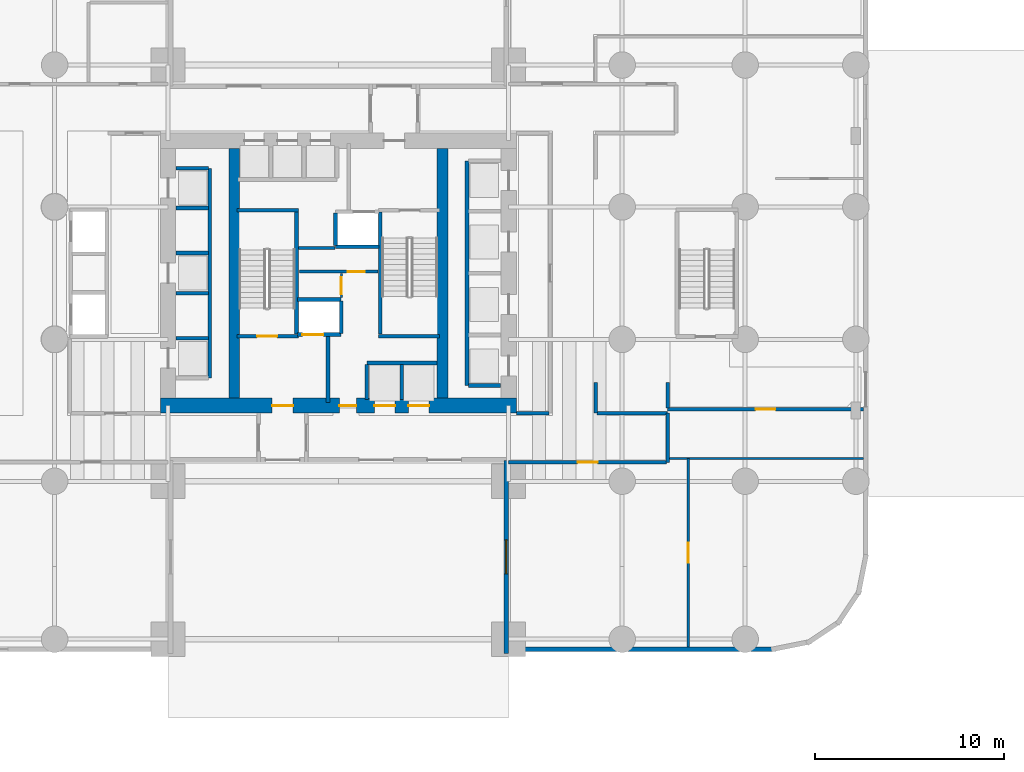
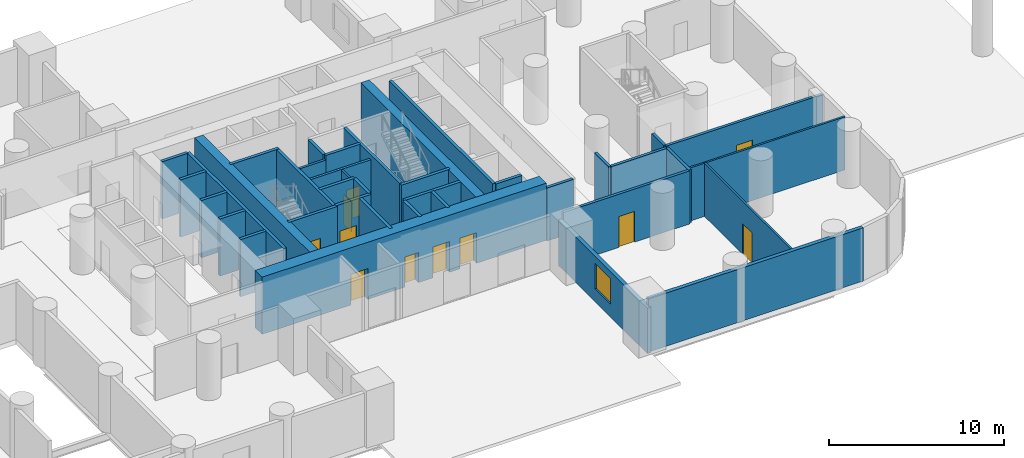
# One storey, part 4 of 10: 39 walls, 11 doors, 1 window, 12 openings.
"""IFC4 building model written with IfcOpenShell, lengths in metres."""

from ifc_helpers import new_model, si_unit, direction, frame, frame_2d, origin, place, context, subcontext, project, spatial, rectangle, extrude, material, layer, layer_set, type_object, element, fill, save


model = new_model("IFC4")

# Units and contexts
model_context = context("Model", 3, precision=1e-05, world=origin(), true_north=direction((0.0, 1.0)))
body_context = subcontext(model_context, "Body", "Model", "MODEL_VIEW")
ifc_project = project(units=[si_unit("LENGTHUNIT", "METRE"), si_unit("AREAUNIT", "SQUARE_METRE"), si_unit("VOLUMEUNIT", "CUBIC_METRE"), si_unit("PLANEANGLEUNIT", "RADIAN"), si_unit("MASSUNIT", "GRAM", prefix="KILO")], contexts=[model_context])

# Site, building, storey
site_placement = place(None, origin())
site = spatial("IfcSite", under=ifc_project, at=site_placement, CompositionType="ELEMENT")
building_placement = place(site_placement, origin())
building = spatial("IfcBuilding", under=site, at=building_placement, Name="Veldorim Arch Residences", CompositionType="ELEMENT")
storey_placement = place(building_placement, origin())
storey = spatial("IfcBuildingStorey", under=building, at=storey_placement, Name="L00", CompositionType="ELEMENT", Elevation=0.0)

# Wall, opening, door
ifc_material_1 = material(Name="Acoustic Gypsum Board", Category="gypsum")
ifc_layer_1 = layer(ifc_material_1, 0.125, Name="Acoustic Stud Room Partition Wall 125")
ifc_layer_set_1 = layer_set([ifc_layer_1], Name="Acoustic Gypsum Board")
wall_type_1 = type_object("IfcWallType", Name="Acoustic Stud Room Partition Wall 125", PredefinedType="PARTITIONING", material=ifc_layer_set_1)
wall_1_placement = place(storey_placement, frame((32.159912109375, 22.719970703125, 0.0), z_axis=(0.0, 0.0, 1.0), x_axis=(0.0, 1.0, 0.0)))
wall_1 = element("IfcWall", 1, at=wall_1_placement, inside=storey, type_object=wall_type_1, Name="L00 interior wall WL-CA-L00-2", PredefinedType="PARTITIONING", context=body_context, shape_type="SweptSolid", body=[
    extrude(rectangle(XDim=1.25, YDim=0.125, at=frame_2d((0.625, 0.0))), origin(), (0.0, 0.0, 1.0), 3.715087890625),
])
opening_1_placement = place(wall_1_placement, frame((0.169921875, 0.0, 0.0)))
opening_1 = element("IfcOpeningElement", 2, at=opening_1_placement, cuts=wall_1, Name="Opening DR-SVC", PredefinedType="OPENING", context=body_context, shape_type="SweptSolid", body=[
    extrude(rectangle(XDim=0.89990234375, YDim=2.10009765625, at=frame_2d((0.449951171875, 1.050048828125))), frame((0.0, 0.072509765625, 0.0), z_axis=(0.0, -1.0, 0.0), x_axis=(1.0, 0.0, 0.0)), (0.0, 0.0, 1.0), 0.14501953125),
])
ifc_material_2 = material(Name="Fire-Rated Steel", Category="steel")
door_type_1 = type_object("IfcDoorType", Name="Riser, Shelter & Plant Room Rated Steel Door 900x2100", OperationType="SINGLE_SWING_LEFT", PredefinedType="DOOR", material=ifc_material_2)
door_1_placement = place(opening_1_placement, origin())
door_1 = element("IfcDoor", 3, at=door_1_placement, inside=storey, type_object=door_type_1, Name="L00 interior door DR-L00-CA2", OperationType="SINGLE_SWING_RIGHT", OverallHeight=2.10009765625, OverallWidth=0.89990234375, PredefinedType="DOOR", context=body_context, shape_type="SweptSolid", body=[
    extrude(rectangle(XDim=0.89990234375, YDim=2.10009765625, at=frame_2d((0.449951171875, 1.050048828125))), frame((0.0, 0.02490234375, 0.0), z_axis=(0.0, -1.0, 0.0), x_axis=(1.0, 0.0, 0.0)), (0.0, 0.0, 1.0), 0.050048828125),
])
fill(opening_1, door_1)

wall_2_placement = place(storey_placement, frame((50.5, 14.199951171875, 0.0), z_axis=(0.0, 0.0, 1.0), x_axis=(0.0, -1.0, 0.0)))
wall_2 = element("IfcWall", 4, at=wall_2_placement, inside=storey, type_object=wall_type_1, Name="L00 interior wall WL-POD-L00-028", PredefinedType="PARTITIONING", context=body_context, shape_type="SweptSolid", body=[
    extrude(rectangle(XDim=9.949951171875, YDim=0.125, at=frame_2d((4.97509765625, 0.0))), origin(), (0.0, 0.0, 1.0), 3.715087890625),
])
opening_2_placement = place(wall_2_placement, frame((4.449951171875, 0.0, 0.0)))
opening_2 = element("IfcOpeningElement", 5, at=opening_2_placement, cuts=wall_2, Name="Opening DR-CLN", PredefinedType="OPENING", context=body_context, shape_type="SweptSolid", body=[
    extrude(rectangle(XDim=1.050048828125, YDim=2.14990234375, at=frame_2d((0.52490234375, 1.074951171875))), frame((0.0, 0.072509765625, 0.0), z_axis=(0.0, -1.0, 0.0), x_axis=(1.0, 0.0, 0.0)), (0.0, 0.0, 1.0), 0.14501953125),
])
ifc_material_3 = material(Name="Timber & Vision Panel", Category="wood")
door_type_2 = type_object("IfcDoorType", Name="Polyclinic Wheelchair-Accessible Consultation Door 1050x2150", OperationType="SINGLE_SWING_LEFT", PredefinedType="DOOR", material=ifc_material_3)
door_2_placement = place(opening_2_placement, origin())
door_2 = element("IfcDoor", 6, at=door_2_placement, inside=storey, type_object=door_type_2, Name="L00 interior door DR-POD-L00-010", OperationType="SINGLE_SWING_RIGHT", OverallHeight=2.14990234375, OverallWidth=1.050048828125, PredefinedType="DOOR", context=body_context, shape_type="SweptSolid", body=[
    extrude(rectangle(XDim=1.050048828125, YDim=2.14990234375, at=frame_2d((0.52490234375, 1.074951171875))), frame((0.0, 0.02490234375, 0.0), z_axis=(0.0, -1.0, 0.0), x_axis=(1.0, 0.0, 0.0)), (0.0, 0.0, 1.0), 0.050048828125),
])
fill(opening_2, door_2)

# Wall
wall_3_placement = place(storey_placement, frame((49.5, 14.199951171875, 0.0), z_axis=(0.0, 0.0, 1.0), x_axis=(1.0, 0.0, 0.0)))
element("IfcWall", 7, at=wall_3_placement, inside=storey, type_object=wall_type_1, Name="L00 interior wall WL-POD-L00-029", PredefinedType="PARTITIONING", context=body_context, shape_type="SweptSolid", body=[
    extrude(rectangle(XDim=10.25, YDim=0.125, at=frame_2d((5.125, 0.0))), origin(), (0.0, 0.0, 1.0), 3.715087890625),
])

# Wall, opening, door
ifc_material_4 = material(Name="Lightweight Masonry Block & Gypsum", Category="masonry")
ifc_layer_2 = layer(ifc_material_4, 0.179931640625, Name="Compartment & Corridor Fire-Rated Party Wall 180")
ifc_layer_set_2 = layer_set([ifc_layer_2], Name="Lightweight Masonry Block & Gypsum")
wall_type_2 = type_object("IfcWallType", Name="Compartment & Corridor Fire-Rated Party Wall 180", PredefinedType="PARTITIONING", material=ifc_layer_set_2)
wall_4_placement = place(storey_placement, frame((59.75, 16.800048828125, 0.0), z_axis=(0.0, 0.0, 1.0), x_axis=(-1.0, 0.0, 0.0)))
wall_4 = element("IfcWall", 8, at=wall_4_placement, inside=storey, type_object=wall_type_2, Name="L00 interior wall WL-POD-L00-005", PredefinedType="PARTITIONING", context=body_context, shape_type="SweptSolid", body=[
    extrude(rectangle(XDim=10.35009765625, YDim=0.179931640625, at=frame_2d((5.175048828125, 0.0))), origin(), (0.0, 0.0, 1.0), 3.715087890625),
])
opening_3_placement = place(wall_4_placement, frame((4.64990234375, 0.0, 0.0)))
opening_3 = element("IfcOpeningElement", 9, at=opening_3_placement, cuts=wall_4, Name="Opening DR-CLN", PredefinedType="OPENING", context=body_context, shape_type="SweptSolid", body=[
    extrude(rectangle(XDim=1.050048828125, YDim=2.14990234375, at=frame_2d((0.52490234375, 1.074951171875))), frame((0.0, 0.099853515625, 0.0), z_axis=(0.0, -1.0, 0.0), x_axis=(1.0, 0.0, 0.0)), (0.0, 0.0, 1.0), 0.199951171875),
])
door_3_placement = place(opening_3_placement, origin())
door_3 = element("IfcDoor", 10, at=door_3_placement, inside=storey, type_object=door_type_2, Name="L00 interior door DR-POD-L00-011", OperationType="SINGLE_SWING_LEFT", OverallHeight=2.14990234375, OverallWidth=1.050048828125, PredefinedType="DOOR", context=body_context, shape_type="SweptSolid", body=[
    extrude(rectangle(XDim=1.050048828125, YDim=2.14990234375, at=frame_2d((0.52490234375, 1.074951171875))), frame((0.0, 0.02490234375, 0.0), z_axis=(0.0, -1.0, 0.0), x_axis=(1.0, 0.0, 0.0)), (0.0, 0.0, 1.0), 0.050048828125),
])
fill(opening_3, door_3)

# Walls
wall_5_placement = place(storey_placement, frame((49.39990234375, 16.860107421875, 0.0), z_axis=(0.0, 0.0, 1.0), x_axis=(0.0, 1.0, 0.0)))
element("IfcWall", 11, at=wall_5_placement, inside=storey, type_object=wall_type_2, Name="L00 interior wall WL-POD-L00-006", PredefinedType="PARTITIONING", context=body_context, shape_type="SweptSolid", body=[
    extrude(rectangle(XDim=1.35986328125, YDim=0.179931640625, at=frame_2d((0.679931640625, 0.0))), origin(), (0.0, 0.0, 1.0), 3.715087890625),
])
wall_6_placement = place(storey_placement, frame((41.39990234375, 16.60009765625, 0.0), z_axis=(0.0, 0.0, 1.0), x_axis=(1.0, 0.0, 0.0)))
element("IfcWall", 12, at=wall_6_placement, inside=storey, type_object=wall_type_2, Name="L00 interior wall WL-POD-L00-009", PredefinedType="PARTITIONING", context=body_context, shape_type="SweptSolid", body=[
    extrude(rectangle(XDim=1.739990234375, YDim=0.179931640625, at=frame_2d((0.8701171875, 0.0))), origin(), (0.0, 0.0, 1.0), 3.715087890625),
])
wall_7_placement = place(storey_placement, frame((49.39990234375, 16.60009765625, 0.0), z_axis=(0.0, 0.0, 1.0), x_axis=(0.0, -1.0, 0.0)))
element("IfcWall", 13, at=wall_7_placement, inside=storey, type_object=wall_type_2, Name="L00 interior wall WL-POD-L00-010", PredefinedType="PARTITIONING", context=body_context, shape_type="SweptSolid", body=[
    extrude(rectangle(XDim=2.60009765625, YDim=0.179931640625, at=frame_2d((1.300048828125, 0.0))), origin(), (0.0, 0.0, 1.0), 3.715087890625),
])

# Wall, opening, door
wall_8_placement = place(storey_placement, frame((49.340087890625, 14.0, 0.0), z_axis=(0.0, 0.0, 1.0), x_axis=(-1.0, 0.0, 0.0)))
wall_8 = element("IfcWall", 14, at=wall_8_placement, inside=storey, type_object=wall_type_2, Name="L00 interior wall WL-POD-L00-011", PredefinedType="PARTITIONING", context=body_context, shape_type="SweptSolid", body=[
    extrude(rectangle(XDim=8.340087890625, YDim=0.179931640625, at=frame_2d((4.169921875, 0.0))), origin(), (0.0, 0.0, 1.0), 3.715087890625),
])
opening_4_placement = place(wall_8_placement, frame((3.64501953125, 0.0, 0.0)))
opening_4 = element("IfcOpeningElement", 15, at=opening_4_placement, cuts=wall_8, Name="Opening DR-CLN", PredefinedType="OPENING", context=body_context, shape_type="SweptSolid", body=[
    extrude(rectangle(XDim=1.050048828125, YDim=2.14990234375, at=frame_2d((0.52490234375, 1.074951171875))), frame((0.0, 0.099853515625, 0.0), z_axis=(0.0, -1.0, 0.0), x_axis=(1.0, 0.0, 0.0)), (0.0, 0.0, 1.0), 0.199951171875),
])
door_4_placement = place(opening_4_placement, origin())
door_4 = element("IfcDoor", 16, at=door_4_placement, inside=storey, type_object=door_type_2, Name="L00 interior door DR-POD-L00-009", OperationType="SINGLE_SWING_LEFT", OverallHeight=2.14990234375, OverallWidth=1.050048828125, PredefinedType="DOOR", context=body_context, shape_type="SweptSolid", body=[
    extrude(rectangle(XDim=1.050048828125, YDim=2.14990234375, at=frame_2d((0.52490234375, 1.074951171875))), frame((0.0, 0.02490234375, 0.0), z_axis=(0.0, -1.0, 0.0), x_axis=(1.0, 0.0, 0.0)), (0.0, 0.0, 1.0), 0.050048828125),
])
fill(opening_4, door_4)

# Walls
wall_9_placement = place(storey_placement, frame((45.60009765625, 18.219970703125, 0.0), z_axis=(0.0, 0.0, 1.0), x_axis=(0.0, -1.0, 0.0)))
element("IfcWall", 17, at=wall_9_placement, inside=storey, type_object=wall_type_2, Name="L00 interior wall WL-POD-L00-012", PredefinedType="PARTITIONING", context=body_context, shape_type="SweptSolid", body=[
    extrude(rectangle(XDim=1.619873046875, YDim=0.179931640625, at=frame_2d((0.81005859375, 0.0))), origin(), (0.0, 0.0, 1.0), 3.715087890625),
])
wall_10_placement = place(storey_placement, frame((45.659912109375, 16.60009765625, 0.0), z_axis=(0.0, 0.0, 1.0), x_axis=(1.0, 0.0, 0.0)))
element("IfcWall", 18, at=wall_10_placement, inside=storey, type_object=wall_type_2, Name="L00 interior wall WL-POD-L00-013", PredefinedType="PARTITIONING", context=body_context, shape_type="SweptSolid", body=[
    extrude(rectangle(XDim=3.739990234375, YDim=0.179931640625, at=frame_2d((1.8701171875, 0.0))), origin(), (0.0, 0.0, 1.0), 3.715087890625),
])
ifc_material_5 = material(Name="Concrete C50/60", Category="concrete")
ifc_layer_3 = layer(ifc_material_5, 0.199951171875, Name="Core Stair & Lift Shaft Enclosure Wall 200")
ifc_layer_set_3 = layer_set([ifc_layer_3], Name="Concrete C50/60")
wall_type_3 = type_object("IfcWallType", Name="Core Stair & Lift Shaft Enclosure Wall 200", PredefinedType="SHEAR", material=ifc_layer_set_3)
wall_11_placement = place(storey_placement, frame((29.7900390625, 20.780029296875, 0.0), z_axis=(0.0, 0.0, 1.0), x_axis=(0.0, 1.0, 0.0)))
element("IfcWall", 19, at=wall_11_placement, inside=storey, type_object=wall_type_3, Name="L00 shaft wall WL-SHF-L00-ST1-E", PredefinedType="SHEAR", context=body_context, shape_type="SweptSolid", body=[
    extrude(rectangle(XDim=6.43994140625, YDim=0.199951171875, at=frame_2d((3.219970703125, 0.0))), origin(), (0.0, 0.0, 1.0), 4.0),
])
wall_12_placement = place(storey_placement, frame((26.64990234375, 27.330078125, 0.0), z_axis=(0.0, 0.0, 1.0), x_axis=(1.0, 0.0, 0.0)))
element("IfcWall", 20, at=wall_12_placement, inside=storey, type_object=wall_type_3, Name="L00 shaft wall WL-SHF-L00-ST1-N", PredefinedType="SHEAR", context=body_context, shape_type="SweptSolid", body=[
    extrude(rectangle(XDim=3.239990234375, YDim=0.199951171875, at=frame_2d((1.6201171875, 0.0))), origin(), (0.0, 0.0, 1.0), 4.0),
])

# Wall, opening, door
wall_13_placement = place(storey_placement, frame((26.64990234375, 20.669921875, 0.0), z_axis=(0.0, 0.0, 1.0), x_axis=(1.0, 0.0, 0.0)))
wall_13 = element("IfcWall", 21, at=wall_13_placement, inside=storey, type_object=wall_type_3, Name="L00 shaft wall WL-SHF-L00-ST1-S", PredefinedType="SHEAR", context=body_context, shape_type="SweptSolid", body=[
    extrude(rectangle(XDim=3.239990234375, YDim=0.199951171875, at=frame_2d((1.6201171875, 0.0))), origin(), (0.0, 0.0, 1.0), 4.0),
])
opening_5_placement = place(wall_13_placement, frame((1.054931640625, 0.0, 0.0)))
opening_5 = element("IfcOpeningElement", 22, at=opening_5_placement, cuts=wall_13, Name="Opening DR-ST", PredefinedType="OPENING", context=body_context, shape_type="SweptSolid", body=[
    extrude(rectangle(XDim=1.050048828125, YDim=2.14990234375, at=frame_2d((0.52490234375, 1.074951171875))), frame((0.0, 0.10986328125, 0.0), z_axis=(0.0, -1.0, 0.0), x_axis=(1.0, 0.0, 0.0)), (0.0, 0.0, 1.0), 0.219970703125),
])
ifc_material_6 = material(Name="Fire-Rated Steel", Category="steel")
door_type_3 = type_object("IfcDoorType", Name="Exit Staircase Self-Closing Fire Door 1050x2150", OperationType="SINGLE_SWING_LEFT", PredefinedType="DOOR", material=ifc_material_6)
door_5_placement = place(opening_5_placement, origin())
door_5 = element("IfcDoor", 23, at=door_5_placement, inside=storey, type_object=door_type_3, Name="L00 interior door DR-L00-ST1", OperationType="SINGLE_SWING_LEFT", OverallHeight=2.14990234375, OverallWidth=1.050048828125, PredefinedType="DOOR", context=body_context, shape_type="SweptSolid", body=[
    extrude(rectangle(XDim=1.050048828125, YDim=2.14990234375, at=frame_2d((0.52490234375, 1.074951171875))), frame((0.0, 0.02490234375, 0.0), z_axis=(0.0, -1.0, 0.0), x_axis=(1.0, 0.0, 0.0)), (0.0, 0.0, 1.0), 0.050048828125),
])
fill(opening_5, door_5)

# Walls
wall_14_placement = place(storey_placement, frame((34.2099609375, 20.780029296875, 0.0), z_axis=(0.0, 0.0, 1.0), x_axis=(0.0, 1.0, 0.0)))
element("IfcWall", 24, at=wall_14_placement, inside=storey, type_object=wall_type_3, Name="L00 shaft wall WL-SHF-L00-ST2-W", PredefinedType="SHEAR", context=body_context, shape_type="SweptSolid", body=[
    extrude(rectangle(XDim=6.43994140625, YDim=0.199951171875, at=frame_2d((3.219970703125, 0.0))), origin(), (0.0, 0.0, 1.0), 4.0),
])
wall_15_placement = place(storey_placement, frame((34.110107421875, 20.669921875, 0.0), z_axis=(0.0, 0.0, 1.0), x_axis=(1.0, 0.0, 0.0)))
element("IfcWall", 25, at=wall_15_placement, inside=storey, type_object=wall_type_3, Name="L00 shaft wall WL-SHF-L00-ST2-S", PredefinedType="SHEAR", context=body_context, shape_type="SweptSolid", body=[
    extrude(rectangle(XDim=3.239990234375, YDim=0.199951171875, at=frame_2d((1.6201171875, 0.0))), origin(), (0.0, 0.0, 1.0), 4.0),
])
wall_16_placement = place(storey_placement, frame((31.449951171875, 17.14990234375, 0.0), z_axis=(0.0, 0.0, 1.0), x_axis=(0.0, 1.0, 0.0)))
element("IfcWall", 26, at=wall_16_placement, inside=storey, type_object=wall_type_3, Name="L00 shaft wall WL-FFL1-L00-E", PredefinedType="SHEAR", context=body_context, shape_type="SweptSolid", body=[
    extrude(rectangle(XDim=3.5, YDim=0.199951171875, at=frame_2d((1.75, 0.0))), origin(), (0.0, 0.0, 1.0), 4.0),
])

# Wall, opening, door
wall_17_placement = place(storey_placement, frame((29.85009765625, 20.75, 0.0), z_axis=(0.0, 0.0, 1.0), x_axis=(1.0, 0.0, 0.0)))
wall_17 = element("IfcWall", 27, at=wall_17_placement, inside=storey, type_object=wall_type_3, Name="L00 shaft wall WL-FL01-L00-S", PredefinedType="SHEAR", context=body_context, shape_type="SweptSolid", body=[
    extrude(rectangle(XDim=2.2998046875, YDim=0.199951171875, at=frame_2d((1.14990234375, 0.0))), origin(), (0.0, 0.0, 1.0), 4.0),
])
opening_6_placement = place(wall_17_placement, frame((0.25, 0.0, 0.0)))
opening_6 = element("IfcOpeningElement", 28, at=opening_6_placement, cuts=wall_17, Name="Opening LD-FF", PredefinedType="OPENING", context=body_context, shape_type="SweptSolid", body=[
    extrude(rectangle(XDim=1.10009765625, YDim=2.14990234375, at=frame_2d((0.550048828125, 1.074951171875))), frame((0.0, 0.10986328125, 0.0), z_axis=(0.0, -1.0, 0.0), x_axis=(1.0, 0.0, 0.0)), (0.0, 0.0, 1.0), 0.219970703125),
])
ifc_material_7 = material(Name="Stainless Steel", Category="steel")
door_type_4 = type_object("IfcDoorType", Name="Firefighting Lift Bi-Parting Sliding Landing Door 1100x2150", OperationType="DOUBLE_DOOR_SLIDING", PredefinedType="DOOR", material=ifc_material_7)
door_6_placement = place(opening_6_placement, origin())
door_6 = element("IfcDoor", 29, at=door_6_placement, inside=storey, type_object=door_type_4, Name="L00 lift landing door LD-L00-FL01", OperationType="DOUBLE_DOOR_SLIDING", OverallHeight=2.14990234375, OverallWidth=1.10009765625, PredefinedType="DOOR", context=body_context, shape_type="SweptSolid", body=[
    extrude(rectangle(XDim=1.10009765625, YDim=2.14990234375, at=frame_2d((0.550048828125, 1.074951171875))), frame((0.0, 0.02490234375, 0.0), z_axis=(0.0, -1.0, 0.0), x_axis=(1.0, 0.0, 0.0)), (0.0, 0.0, 1.0), 0.050048828125),
])
fill(opening_6, door_6)

# Walls
wall_18_placement = place(storey_placement, frame((29.85009765625, 22.60009765625, 0.0), z_axis=(0.0, 0.0, 1.0), x_axis=(1.0, 0.0, 0.0)))
element("IfcWall", 30, at=wall_18_placement, inside=storey, type_object=wall_type_3, Name="L00 shaft wall WL-FL01-L00-N", PredefinedType="SHEAR", context=body_context, shape_type="SweptSolid", body=[
    extrude(rectangle(XDim=2.2998046875, YDim=0.199951171875, at=frame_2d((1.14990234375, 0.0))), origin(), (0.0, 0.0, 1.0), 4.0),
])
wall_19_placement = place(storey_placement, frame((32.14990234375, 20.820068359375, 0.0), z_axis=(0.0, 0.0, 1.0), x_axis=(0.0, 1.0, 0.0)))
element("IfcWall", 31, at=wall_19_placement, inside=storey, type_object=wall_type_3, Name="L00 shaft wall WL-FL01-L00-E", PredefinedType="SHEAR", context=body_context, shape_type="SweptSolid", body=[
    extrude(rectangle(XDim=1.7099609375, YDim=0.199951171875, at=frame_2d((0.85498046875, 0.0))), origin(), (0.0, 0.0, 1.0), 4.0),
])
wall_20_placement = place(storey_placement, frame((31.85009765625, 25.39990234375, 0.0), z_axis=(0.0, 0.0, 1.0), x_axis=(1.0, 0.0, 0.0)))
element("IfcWall", 32, at=wall_20_placement, inside=storey, type_object=wall_type_3, Name="L00 shaft wall WL-FL02-L00-S", PredefinedType="SHEAR", context=body_context, shape_type="SweptSolid", body=[
    extrude(rectangle(XDim=2.2998046875, YDim=0.199951171875, at=frame_2d((1.14990234375, 0.0))), origin(), (0.0, 0.0, 1.0), 4.0),
])
wall_21_placement = place(storey_placement, frame((31.85009765625, 25.469970703125, 0.0), z_axis=(0.0, 0.0, 1.0), x_axis=(0.0, 1.0, 0.0)))
element("IfcWall", 33, at=wall_21_placement, inside=storey, type_object=wall_type_3, Name="L00 shaft wall WL-FL02-L00-W", PredefinedType="SHEAR", context=body_context, shape_type="SweptSolid", body=[
    extrude(rectangle(XDim=1.7099609375, YDim=0.199951171875, at=frame_2d((0.85498046875, 0.0))), origin(), (0.0, 0.0, 1.0), 4.0),
])
wall_22_placement = place(storey_placement, frame((38.800048828125, 18.06005859375, 0.0), z_axis=(0.0, 0.0, 1.0), x_axis=(0.0, 1.0, 0.0)))
element("IfcWall", 34, at=wall_22_placement, inside=storey, type_object=wall_type_3, Name="L00 shaft wall WL-B1-L00-W", PredefinedType="SHEAR", context=body_context, shape_type="SweptSolid", body=[
    extrude(rectangle(XDim=11.8798828125, YDim=0.199951171875, at=frame_2d((5.93994140625, 0.0))), origin(), (0.0, 0.0, 1.0), 4.0),
])
wall_23_placement = place(storey_placement, frame((38.8701171875, 18.06005859375, 0.0), z_axis=(0.0, 0.0, 1.0), x_axis=(1.0, 0.0, 0.0)))
element("IfcWall", 35, at=wall_23_placement, inside=storey, type_object=wall_type_3, Name="L00 shaft wall WL-B1-L00-S", PredefinedType="SHEAR", context=body_context, shape_type="SweptSolid", body=[
    extrude(rectangle(XDim=1.7099609375, YDim=0.199951171875, at=frame_2d((0.85498046875, 0.0))), origin(), (0.0, 0.0, 1.0), 4.0),
])
wall_24_placement = place(storey_placement, frame((25.199951171875, 18.4599609375, 0.0), z_axis=(0.0, 0.0, 1.0), x_axis=(0.0, 1.0, 0.0)))
element("IfcWall", 36, at=wall_24_placement, inside=storey, type_object=wall_type_3, Name="L00 shaft wall WL-B2-L00-E", PredefinedType="SHEAR", context=body_context, shape_type="SweptSolid", body=[
    extrude(rectangle(XDim=11.080078125, YDim=0.199951171875, at=frame_2d((5.5400390625, 0.0))), origin(), (0.0, 0.0, 1.0), 4.0),
])
for number, where, z_axis, x_axis, name in (
    (37, (23.419921875, 29.5400390625, 0.0), (0.0, 0.0, 1.0), (1.0, 0.0, 0.0), "L00 shaft wall WL-B2-L00-N"),
    (38, (23.419921875, 20.56005859375, 0.0), (0.0, 0.0, 1.0), (1.0, 0.0, 0.0), "L00 shaft wall WL-B2-L00-D1A"),
    (39, (23.419921875, 22.93994140625, 0.0), (0.0, 0.0, 1.0), (1.0, 0.0, 0.0), "L00 shaft wall WL-B2-L00-D1B"),
    (40, (23.419921875, 25.06005859375, 0.0), (0.0, 0.0, 1.0), (1.0, 0.0, 0.0), "L00 shaft wall WL-B2-L00-D2A"),
    (41, (23.419921875, 27.43994140625, 0.0), (0.0, 0.0, 1.0), (1.0, 0.0, 0.0), "L00 shaft wall WL-B2-L00-D2B"),
):
    element("IfcWall", number, at=place(storey_placement, frame(where, z_axis=z_axis, x_axis=x_axis)), inside=storey, type_object=wall_type_3, Name=name, PredefinedType="SHEAR", context=body_context, shape_type="SweptSolid", body=[
        extrude(rectangle(XDim=1.7099609375, YDim=0.199951171875, at=frame_2d((0.85498046875, 0.0))), origin(), (0.0, 0.0, 1.0), 4.0),
    ])
wall_25_placement = place(storey_placement, frame((33.5, 19.25, 0.0), z_axis=(0.0, 0.0, 1.0), x_axis=(1.0, 0.0, 0.0)))
element("IfcWall", 42, at=wall_25_placement, inside=storey, type_object=wall_type_3, Name="L00 shaft wall WL-OL-L00-N", PredefinedType="SHEAR", context=body_context, shape_type="SweptSolid", body=[
    extrude(rectangle(XDim=3.719970703125, YDim=0.199951171875, at=frame_2d((1.85986328125, 0.0))), origin(), (0.0, 0.0, 1.0), 4.0),
])
for number, where, z_axis, x_axis, name in (
    (43, (33.5, 17.320068359375, 0.0), (0.0, 0.0, 1.0), (0.0, 1.0, 0.0), "L00 shaft wall WL-OL-L00-W"),
    (44, (35.35009765625, 17.320068359375, 0.0), (0.0, 0.0, 1.0), (0.0, 1.0, 0.0), "L00 shaft wall WL-OL-L00-D1"),
):
    element("IfcWall", number, at=place(storey_placement, frame(where, z_axis=z_axis, x_axis=x_axis)), inside=storey, type_object=wall_type_3, Name=name, PredefinedType="SHEAR", context=body_context, shape_type="SweptSolid", body=[
        extrude(rectangle(XDim=1.85986328125, YDim=0.199951171875, at=frame_2d((0.929931640625, 0.0))), origin(), (0.0, 0.0, 1.0), 4.0),
    ])
ifc_material_8 = material(Name="Concrete C60/75", Category="concrete")
ifc_layer_4 = layer(ifc_material_8, 0.56005859375, Name="Internal Core Shear Web Wall 560")
ifc_layer_set_4 = layer_set([ifc_layer_4], Name="Concrete C60/75")
wall_type_4 = type_object("IfcWallType", Name="Internal Core Shear Web Wall 560", PredefinedType="SHEAR", material=ifc_layer_set_4)
for number, where, z_axis, x_axis, name in (
    (45, (26.5, 17.39990234375, 0.0), (0.0, 0.0, 1.0), (0.0, 1.0, 0.0), "L00 core west internal shear web"),
    (46, (37.5, 17.39990234375, 0.0), (0.0, 0.0, 1.0), (0.0, 1.0, 0.0), "L00 core east internal shear web"),
):
    element("IfcWall", number, at=place(storey_placement, frame(where, z_axis=z_axis, x_axis=x_axis)), inside=storey, type_object=wall_type_4, Name=name, PredefinedType="SHEAR", context=body_context, shape_type="SweptSolid", body=[
        extrude(rectangle(XDim=13.2001953125, YDim=0.56005859375, at=frame_2d((6.60009765625, 0.0))), origin(), (0.0, 0.0, 1.0), 4.0),
    ])

# Wall, openings, doors
ifc_material_9 = material(Name="Concrete C60/75", Category="concrete")
ifc_layer_5 = layer(ifc_material_9, 0.800048828125, Name="Lower Central Core Shear Wall 800")
ifc_layer_set_5 = layer_set([ifc_layer_5], Name="Concrete C60/75")
wall_type_5 = type_object("IfcWallType", Name="Lower Central Core Shear Wall 800", PredefinedType="SHEAR", material=ifc_layer_set_5)
wall_26_placement = place(storey_placement, frame((22.60009765625, 17.0, 0.0), z_axis=(0.0, 0.0, 1.0), x_axis=(1.0, 0.0, 0.0)))
wall_26 = element("IfcWall", 47, at=wall_26_placement, inside=storey, type_object=wall_type_5, Name="L00 central core south shear wall", PredefinedType="SHEAR", context=body_context, shape_type="SweptSolid", body=[
    extrude(rectangle(XDim=18.7998046875, YDim=0.800048828125, at=frame_2d((9.39990234375, 0.0))), origin(), (0.0, 0.0, 1.0), 4.0),
])
opening_7_placement = place(wall_26_placement, frame((5.89990234375, 0.0, 0.0)))
opening_7 = element("IfcOpeningElement", 48, at=opening_7_placement, cuts=wall_26, Name="Opening DR-FFL", PredefinedType="OPENING", context=body_context, shape_type="SweptSolid", body=[
    extrude(rectangle(XDim=1.10009765625, YDim=2.14990234375, at=frame_2d((0.550048828125, 1.074951171875))), frame((0.0, 0.409912109375, 0.0), z_axis=(0.0, -1.0, 0.0), x_axis=(1.0, 0.0, 0.0)), (0.0, 0.0, 1.0), 0.820068359375),
])
opening_8_placement = place(wall_26_placement, frame((11.300048828125, 0.0, 0.0)))
opening_8 = element("IfcOpeningElement", 49, at=opening_8_placement, cuts=wall_26, Name="Opening LD-OB", PredefinedType="OPENING", context=body_context, shape_type="SweptSolid", body=[
    extrude(rectangle(XDim=1.10009765625, YDim=2.14990234375, at=frame_2d((0.550048828125, 1.074951171875))), frame((0.0, 0.409912109375, 0.0), z_axis=(0.0, -1.0, 0.0), x_axis=(1.0, 0.0, 0.0)), (0.0, 0.0, 1.0), 0.820068359375),
])
opening_9_placement = place(wall_26_placement, frame((13.10009765625, 0.0, 0.0)))
opening_9 = element("IfcOpeningElement", 50, at=opening_9_placement, cuts=wall_26, Name="Opening LD-OB", PredefinedType="OPENING", context=body_context, shape_type="SweptSolid", body=[
    extrude(rectangle(XDim=1.10009765625, YDim=2.14990234375, at=frame_2d((0.550048828125, 1.074951171875))), frame((0.0, 0.409912109375, 0.0), z_axis=(0.0, -1.0, 0.0), x_axis=(1.0, 0.0, 0.0)), (0.0, 0.0, 1.0), 0.820068359375),
])
opening_10_placement = place(wall_26_placement, frame((9.449951171875, 0.0, 0.0)))
opening_10 = element("IfcOpeningElement", 51, at=opening_10_placement, cuts=wall_26, Name="Opening DR-SVC", PredefinedType="OPENING", context=body_context, shape_type="SweptSolid", body=[
    extrude(rectangle(XDim=0.89990234375, YDim=2.10009765625, at=frame_2d((0.449951171875, 1.050048828125))), frame((0.0, 0.409912109375, 0.0), z_axis=(0.0, -1.0, 0.0), x_axis=(1.0, 0.0, 0.0)), (0.0, 0.0, 1.0), 0.820068359375),
])
ifc_material_10 = material(Name="Fire-Rated Steel & Vision Glass", Category="steel")
door_type_5 = type_object("IfcDoorType", Name="Firefighting Lobby Smoke-Stop Fire Door 1100x2150", OperationType="SINGLE_SWING_LEFT", PredefinedType="DOOR", material=ifc_material_10)
door_7_placement = place(opening_7_placement, origin())
door_7 = element("IfcDoor", 52, at=door_7_placement, inside=storey, type_object=door_type_5, Name="L00 interior door DR-L00-FFL1", OperationType="SINGLE_SWING_RIGHT", OverallHeight=2.14990234375, OverallWidth=1.10009765625, PredefinedType="DOOR", context=body_context, shape_type="SweptSolid", body=[
    extrude(rectangle(XDim=1.10009765625, YDim=2.14990234375, at=frame_2d((0.550048828125, 1.074951171875))), frame((0.0, 0.02490234375, 0.0), z_axis=(0.0, -1.0, 0.0), x_axis=(1.0, 0.0, 0.0)), (0.0, 0.0, 1.0), 0.050048828125),
])
fill(opening_7, door_7)
ifc_material_11 = material(Name="Stainless Steel & Fire Glass", Category="steel")
door_type_6 = type_object("IfcDoorType", Name="Observation Shuttle Glazed Sliding Landing Door 1100x2150", OperationType="DOUBLE_DOOR_SLIDING", PredefinedType="DOOR", material=ifc_material_11)
door_8_placement = place(opening_8_placement, origin())
door_8 = element("IfcDoor", 53, at=door_8_placement, inside=storey, type_object=door_type_6, Name="L00 lift landing door LD-L00-OL-01", OperationType="DOUBLE_DOOR_SLIDING", OverallHeight=2.14990234375, OverallWidth=1.10009765625, PredefinedType="DOOR", context=body_context, shape_type="SweptSolid", body=[
    extrude(rectangle(XDim=1.10009765625, YDim=2.14990234375, at=frame_2d((0.550048828125, 1.074951171875))), frame((0.0, 0.02490234375, 0.0), z_axis=(0.0, -1.0, 0.0), x_axis=(1.0, 0.0, 0.0)), (0.0, 0.0, 1.0), 0.050048828125),
])
fill(opening_8, door_8)
door_9_placement = place(opening_9_placement, origin())
door_9 = element("IfcDoor", 54, at=door_9_placement, inside=storey, type_object=door_type_6, Name="L00 lift landing door LD-L00-OL-02", OperationType="DOUBLE_DOOR_SLIDING", OverallHeight=2.14990234375, OverallWidth=1.10009765625, PredefinedType="DOOR", context=body_context, shape_type="SweptSolid", body=[
    extrude(rectangle(XDim=1.10009765625, YDim=2.14990234375, at=frame_2d((0.550048828125, 1.074951171875))), frame((0.0, 0.02490234375, 0.0), z_axis=(0.0, -1.0, 0.0), x_axis=(1.0, 0.0, 0.0)), (0.0, 0.0, 1.0), 0.050048828125),
])
fill(opening_9, door_9)
door_10_placement = place(opening_10_placement, origin())
door_10 = element("IfcDoor", 55, at=door_10_placement, inside=storey, type_object=door_type_1, Name="L00 interior door DR-L00-COR-ANC", OperationType="SINGLE_SWING_LEFT", OverallHeight=2.10009765625, OverallWidth=0.89990234375, PredefinedType="DOOR", context=body_context, shape_type="SweptSolid", body=[
    extrude(rectangle(XDim=0.89990234375, YDim=2.10009765625, at=frame_2d((0.449951171875, 1.050048828125))), frame((0.0, 0.02490234375, 0.0), z_axis=(0.0, -1.0, 0.0), x_axis=(1.0, 0.0, 0.0)), (0.0, 0.0, 1.0), 0.050048828125),
])
fill(opening_10, door_10)

# Wall
ifc_material_12 = material(Name="Precast concrete C40/50", Category="concrete")
ifc_layer_6 = layer(ifc_material_12, 0.25, Name="Podium Terracotta Insulated Facade Wall 250")
ifc_layer_set_6 = layer_set([ifc_layer_6], Name="Precast concrete C40/50")
wall_type_6 = type_object("IfcWallType", Name="Podium Terracotta Insulated Facade Wall 250", PredefinedType="SOLIDWALL", material=ifc_layer_set_6)
wall_27_placement = place(storey_placement, frame((55.10009765625, 4.125, 0.0), z_axis=(0.0, 0.0, 1.0), x_axis=(-1.0, 0.0, 0.0)))
element("IfcWall", 56, at=wall_27_placement, inside=storey, type_object=wall_type_6, Name="L00 podium terracotta facade wall 09", PredefinedType="SOLIDWALL", context=body_context, shape_type="SweptSolid", body=[
    extrude(rectangle(XDim=14.2001953125, YDim=0.25, at=frame_2d((7.10009765625, 0.0))), origin(), (0.0, 0.0, 1.0), 3.719970703125),
])

# Wall, opening, window
wall_28_placement = place(storey_placement, frame((40.875, 14.10009765625, 0.0), z_axis=(0.0, 0.0, 1.0), x_axis=(0.0, -1.0, 0.0)))
wall_28 = element("IfcWall", 57, at=wall_28_placement, inside=storey, type_object=wall_type_6, Name="L00 podium terracotta facade wall 10", PredefinedType="SOLIDWALL", context=body_context, shape_type="SweptSolid", body=[
    extrude(rectangle(XDim=10.2001953125, YDim=0.25, at=frame_2d((5.10009765625, 0.0))), origin(), (0.0, 0.0, 1.0), 3.178466796875),
])
opening_11_placement = place(wall_28_placement, frame((4.199951171875, 0.0, 0.89990234375)))
opening_11 = element("IfcOpeningElement", 58, at=opening_11_placement, cuts=wall_28, Name="Opening WN-01", PredefinedType="OPENING", context=body_context, shape_type="SweptSolid", body=[
    extrude(rectangle(XDim=1.800048828125, YDim=1.800048828125, at=frame_2d((0.89990234375, 0.89990234375))), frame((0.0, 0.135009765625, 0.0), z_axis=(0.0, -1.0, 0.0), x_axis=(1.0, 0.0, 0.0)), (0.0, 0.0, 1.0), 0.27001953125),
])
ifc_material_13 = material(Name="Laminated Low-E Glass", Category="glass")
window_type = type_object("IfcWindowType", Name="Polyclinic Double-Glazed Window 1800x1800", PartitioningType="SINGLE_PANEL", PredefinedType="WINDOW", material=ifc_material_13)
window_placement = place(opening_11_placement, origin())
window = element("IfcWindow", 59, at=window_placement, inside=storey, type_object=window_type, Name="L00 outpatient clinic window 10-1", OverallHeight=1.800048828125, OverallWidth=1.800048828125, PartitioningType="SINGLE_PANEL", PredefinedType="WINDOW", context=body_context, shape_type="SweptSolid", body=[
    extrude(rectangle(XDim=1.800048828125, YDim=1.800048828125, at=frame_2d((0.89990234375, 0.89990234375))), frame((0.0, 0.030029296875, 0.0), z_axis=(0.0, -1.0, 0.0), x_axis=(1.0, 0.0, 0.0)), (0.0, 0.0, 1.0), 0.06005859375),
])
fill(opening_11, window)

# Wall, opening, door
ifc_material_14 = material(Name="Moisture-Resistant Gypsum & Stud", Category="gypsum")
ifc_layer_7 = layer(ifc_material_14, 0.159912109375, Name="Wet-Area Moisture-Resistant Plumbing Wall 160")
ifc_layer_set_7 = layer_set([ifc_layer_7], Name="Moisture-Resistant Gypsum & Stud")
wall_type_7 = type_object("IfcWallType", Name="Wet-Area Moisture-Resistant Plumbing Wall 160", PredefinedType="PLUMBINGWALL", material=ifc_layer_set_7)
wall_29_placement = place(storey_placement, frame((29.949951171875, 24.080078125, 0.0), z_axis=(0.0, 0.0, 1.0), x_axis=(1.0, 0.0, 0.0)))
wall_29 = element("IfcWall", 60, at=wall_29_placement, inside=storey, type_object=wall_type_7, Name="L00 interior wall WL-CA-L00-1", PredefinedType="PLUMBINGWALL", context=body_context, shape_type="SweptSolid", body=[
    extrude(rectangle(XDim=4.130126953125, YDim=0.159912109375, at=frame_2d((2.06494140625, 0.0))), origin(), (0.0, 0.0, 1.0), 3.715087890625),
])
opening_12_placement = place(wall_29_placement, frame((2.550048828125, 0.0, 0.0)))
opening_12 = element("IfcOpeningElement", 61, at=opening_12_placement, cuts=wall_29, Name="Opening DR-WC", PredefinedType="OPENING", context=body_context, shape_type="SweptSolid", body=[
    extrude(rectangle(XDim=0.89990234375, YDim=2.10009765625, at=frame_2d((0.449951171875, 1.050048828125))), frame((0.0, 0.08984375, 0.0), z_axis=(0.0, -1.0, 0.0), x_axis=(1.0, 0.0, 0.0)), (0.0, 0.0, 1.0), 0.179931640625),
])
ifc_material_15 = material(Name="Laminate Timber", Category="wood")
door_type_7 = type_object("IfcDoorType", Name="Bathroom & Accessible WC Moisture-Sealed Door 900x2100", OperationType="SINGLE_SWING_LEFT", PredefinedType="DOOR", material=ifc_material_15)
door_11_placement = place(opening_12_placement, origin())
door_11 = element("IfcDoor", 62, at=door_11_placement, inside=storey, type_object=door_type_7, Name="L00 interior door DR-L00-CA1", OperationType="SINGLE_SWING_LEFT", OverallHeight=2.10009765625, OverallWidth=0.89990234375, PredefinedType="DOOR", context=body_context, shape_type="SweptSolid", body=[
    extrude(rectangle(XDim=0.89990234375, YDim=2.10009765625, at=frame_2d((0.449951171875, 1.050048828125))), frame((0.0, 0.02490234375, 0.0), z_axis=(0.0, -1.0, 0.0), x_axis=(1.0, 0.0, 0.0)), (0.0, 0.0, 1.0), 0.050048828125),
])
fill(opening_12, door_11)

# Wall
wall_30_placement = place(storey_placement, frame((29.889892578125, 25.330078125, 0.0), z_axis=(0.0, 0.0, 1.0), x_axis=(1.0, 0.0, 0.0)))
element("IfcWall", 63, at=wall_30_placement, inside=storey, type_object=wall_type_7, Name="L00 interior wall WL-CA-L00-N", PredefinedType="PLUMBINGWALL", context=body_context, shape_type="SweptSolid", body=[
    extrude(rectangle(XDim=1.940185546875, YDim=0.159912109375, at=frame_2d((0.97021484375, 0.0))), origin(), (0.0, 0.0, 1.0), 3.715087890625),
])

save(model, "model.ifc")
